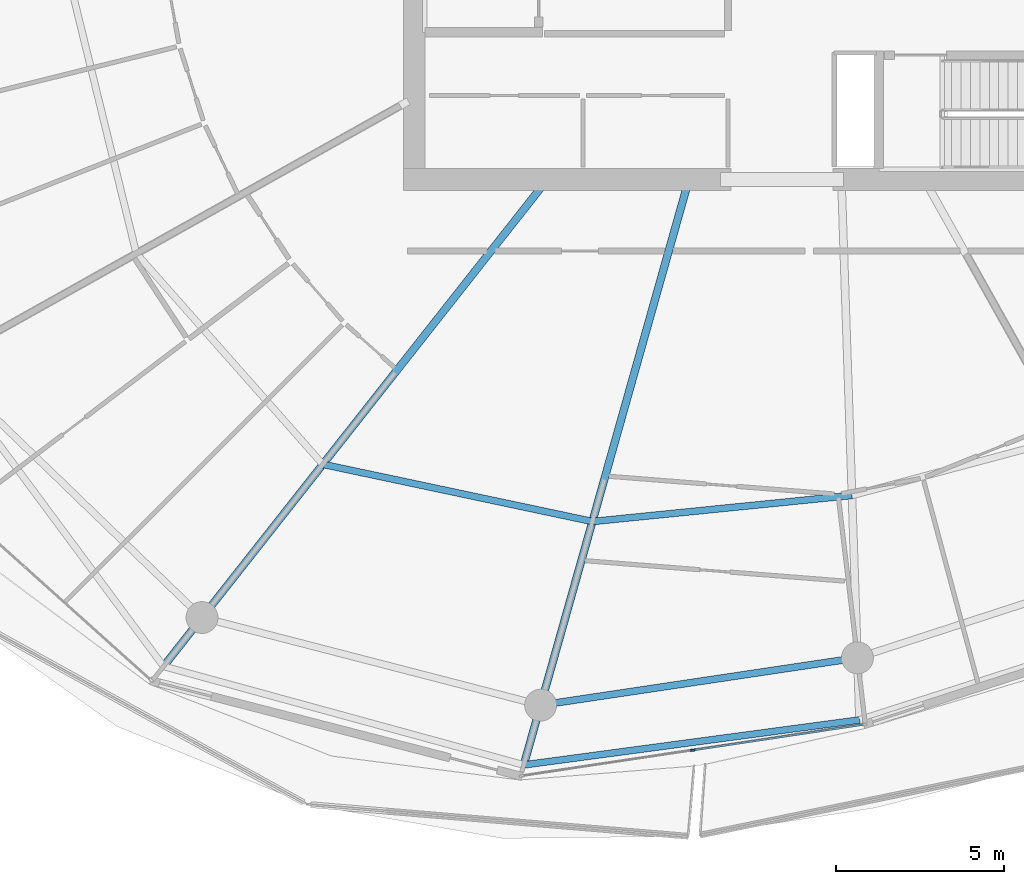
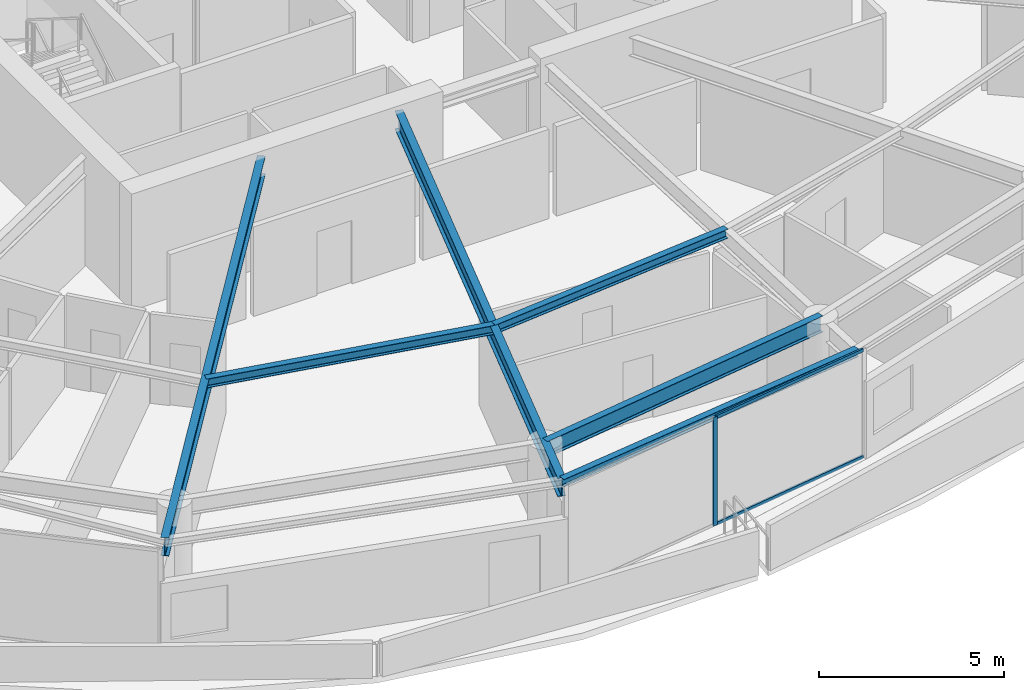
# One storey, part 7 of 31: 6 beams, 3 members, 1 element without a shape of its own.
"""IFC4 building model written with IfcOpenShell, lengths in metres."""

from ifc_helpers import new_model, si_unit, direction, frame, origin, origin_2d, place, context, subcontext, project, spatial, rectangle, i_section, extrude, material, layer, layer_set, material_profile, profile_set, type_object, element, aggregate, save


model = new_model("IFC4")

# Units and contexts
model_context = context("Model", 3, precision=1e-05, world=origin(), true_north=direction((0.0, 1.0)))
body_context = subcontext(model_context, "Body", "Model", "MODEL_VIEW")
ifc_project = project(units=[si_unit("LENGTHUNIT", "METRE"), si_unit("AREAUNIT", "SQUARE_METRE"), si_unit("VOLUMEUNIT", "CUBIC_METRE"), si_unit("PLANEANGLEUNIT", "RADIAN"), si_unit("MASSUNIT", "GRAM", prefix="KILO")], contexts=[model_context])

# Site, building, storey
site_placement = place(None, origin())
site = spatial("IfcSite", under=ifc_project, at=site_placement, CompositionType="ELEMENT")
building_placement = place(site_placement, origin())
building = spatial("IfcBuilding", under=site, at=building_placement, Name="Kazma Halo Residences", CompositionType="ELEMENT")
storey_placement = place(building_placement, frame((0.0, 0.0, 259.800048828125)))
storey = spatial("IfcBuildingStorey", under=building, at=storey_placement, Name="L65", CompositionType="ELEMENT", Elevation=259.800048828125)

# Beams
ifc_material_1 = material(Name="Steel S355", Category="steel")
ifc_material_profile_1 = material_profile(ifc_material_1, i_section(OverallWidth=0.201904296875, OverallDepth=0.2470703125, WebThickness=0.00732421875, FlangeThickness=0.010986328125, FilletRadius=0.011962890625, at=origin_2d()), Name="W250x49.1")
ifc_profile_set_1 = profile_set([ifc_material_profile_1], Name="Steel S355")
beam_type_1 = type_object("IfcBeamType", Name="BM-BAL-CANT", PredefinedType="BEAM", material=ifc_profile_set_1)
beam_1_placement = place(storey_placement, frame((40.73486328125, 16.239990234375, 3.466552734375), z_axis=(0.991137416918, 0.132840584106, 0.0), x_axis=(-0.132840584106, 0.991137416918, 0.0)))
element("IfcBeam", 1, at=beam_1_placement, inside=storey, type_object=beam_type_1, Name="L65 wave-balcony tie beam 11", PredefinedType="BEAM", context=body_context, shape_type="SweptSolid", body=[
    extrude(i_section(OverallWidth=0.201904296875, OverallDepth=0.2470703125, WebThickness=0.00732421875, FlangeThickness=0.010986328125, FilletRadius=0.011962890625, at=origin_2d()), origin(), (0.0, 0.0, 1.0), 10.087890625),
])
ifc_material_profile_2 = material_profile(ifc_material_1, i_section(OverallWidth=0.22802734375, OverallDepth=0.60791015625, WebThickness=0.01123046875, FlangeThickness=0.017333984375, FilletRadius=0.01806640625, at=origin_2d()), Name="W610x113")
ifc_profile_set_2 = profile_set([ifc_material_profile_2], Name="Steel S355")
beam_type_2 = type_object("IfcBeamType", Name="BM-RAD-W610", PredefinedType="BEAM", material=ifc_profile_set_2)
beam_2_placement = place(storey_placement, frame((41.299072265625, 33.5, 3.285888671875), z_axis=(-0.6190864347, -0.785322854863, 0.0), x_axis=(0.785322854863, -0.6190864347, 0.0)))
element("IfcBeam", 2, at=beam_2_placement, inside=storey, type_object=beam_type_2, Name="L65 radial floor beam 10", PredefinedType="BEAM", context=body_context, shape_type="SweptSolid", body=[
    extrude(i_section(OverallWidth=0.22802734375, OverallDepth=0.60791015625, WebThickness=0.01123046875, FlangeThickness=0.017333984375, FilletRadius=0.01806640625, at=origin_2d()), origin(), (0.0, 0.0, 1.0), 18.239013671875),
])
beam_3_placement = place(storey_placement, frame((45.602783203125, 33.5, 3.285888671875), z_axis=(-0.271445290974, -0.962453871107, 0.0), x_axis=(0.962453871107, -0.271445290974, 0.0)))
element("IfcBeam", 3, at=beam_3_placement, inside=storey, type_object=beam_type_2, Name="L65 radial floor beam 11", PredefinedType="BEAM", context=body_context, shape_type="SweptSolid", body=[
    extrude(i_section(OverallWidth=0.22802734375, OverallDepth=0.60791015625, WebThickness=0.01123046875, FlangeThickness=0.017333984375, FilletRadius=0.01806640625, at=origin_2d()), origin(), (0.0, 0.0, 1.0), 17.933349609375),
])
ifc_material_profile_3 = material_profile(ifc_material_1, i_section(OverallWidth=0.202880859375, OverallDepth=0.302978515625, WebThickness=0.007568359375, FlangeThickness=0.01318359375, FilletRadius=0.013916015625, at=origin_2d()), Name="W310x60")
ifc_profile_set_3 = profile_set([ifc_material_profile_3], Name="Steel S355")
beam_type_3 = type_object("IfcBeamType", Name="BM-SEC-W310A", PredefinedType="JOIST", material=ifc_profile_set_3)
beam_4_placement = place(storey_placement, frame((34.75, 25.1923828125, 3.4384765625), z_axis=(0.978235588777, -0.207497308055, 0.0), x_axis=(0.207497308055, 0.978235588777, 0.0)))
element("IfcBeam", 4, at=beam_4_placement, inside=storey, type_object=beam_type_3, Name="L65 circumferential floor joist 10", PredefinedType="JOIST", context=body_context, shape_type="SweptSolid", body=[
    extrude(i_section(OverallWidth=0.202880859375, OverallDepth=0.302978515625, WebThickness=0.007568359375, FlangeThickness=0.01318359375, FilletRadius=0.013916015625, at=origin_2d()), origin(), (0.0, 0.0, 1.0), 8.2080078125),
])
beam_5_placement = place(storey_placement, frame((42.779296875, 23.4892578125, 3.4384765625), z_axis=(0.994981653225, 0.10005753218, 0.0), x_axis=(-0.10005753218, 0.994981653225, 0.0)))
element("IfcBeam", 5, at=beam_5_placement, inside=storey, type_object=beam_type_3, Name="L65 circumferential floor joist 11", PredefinedType="JOIST", context=body_context, shape_type="SweptSolid", body=[
    extrude(i_section(OverallWidth=0.202880859375, OverallDepth=0.302978515625, WebThickness=0.007568359375, FlangeThickness=0.01318359375, FilletRadius=0.013916015625, at=origin_2d()), origin(), (0.0, 0.0, 1.0), 7.76904296875),
])
ifc_material_profile_4 = material_profile(ifc_material_1, i_section(OverallWidth=0.208984375, OverallDepth=0.532958984375, WebThickness=0.01025390625, FlangeThickness=0.015625, FilletRadius=0.01611328125, at=origin_2d()), Name="W530x92")
ifc_profile_set_4 = profile_set([ifc_material_profile_4], Name="Steel S355")
beam_type_4 = type_object("IfcBeamType", Name="BM-SPN-W530", PredefinedType="BEAM", material=ifc_profile_set_4)
beam_6_placement = place(storey_placement, frame((41.237060546875, 18.0205078125, 3.323486328125), z_axis=(0.989035441627, 0.147678350495, 0.0), x_axis=(-0.147678350495, 0.989035441627, 0.0)))
element("IfcBeam", 6, at=beam_6_placement, inside=storey, type_object=beam_type_4, Name="L65 perimeter ring beam 11", PredefinedType="BEAM", context=body_context, shape_type="SweptSolid", body=[
    extrude(i_section(OverallWidth=0.208984375, OverallDepth=0.532958984375, WebThickness=0.01025390625, FlangeThickness=0.015625, FilletRadius=0.01611328125, at=origin_2d()), origin(), (0.0, 0.0, 1.0), 9.538818359375),
])

# Curtain wall, members
ifc_material_2 = material(Name="Aluminium AW-6063 T6 and Triple-Silver Low-E Glass", Category="aluminium")
ifc_layer = layer(ifc_material_2, 0.139892578125)
ifc_layer_set = layer_set([ifc_layer], Name="Aluminium AW-6063 T6 and Triple-Silver Low-E Glass")
curtain_wall_type = type_object("IfcCurtainWallType", Name="CW-SYS-5", PredefinedType="NOTDEFINED", material=ifc_layer_set)
curtain_wall_placement = place(storey_placement, origin())
curtain_wall = element("IfcCurtainWall", 7, at=curtain_wall_placement, inside=storey, type_object=curtain_wall_type, Name="L65 unitised curtain wall B11", PredefinedType="NOTDEFINED")
ifc_material_3 = material(Name="Aluminium AW-6063 T6", Category="aluminium")
ifc_material_profile_5 = material_profile(ifc_material_3, rectangle(XDim=0.06005859375, YDim=0.139892578125, at=origin_2d()), Name="CWM-60x140")
ifc_profile_set_5 = profile_set([ifc_material_profile_5], Name="Aluminium AW-6063 T6")
member_type_1 = type_object("IfcMemberType", Name="CW-SYS-5-MUL", PredefinedType="MULLION", material=ifc_profile_set_5)
member_1_placement = place(storey_placement, frame((45.7734375, 16.679931640625, 0.0), z_axis=(0.0, 0.0, 1.0), x_axis=(-0.148697080374, 0.988882792998, 0.0)))
member_1 = element("IfcMember", 8, at=member_1_placement, type_object=member_type_1, Name="CWS-5 mullion 2", PredefinedType="MULLION", context=body_context, shape_type="SweptSolid", body=[
    extrude(rectangle(XDim=0.06005859375, YDim=0.139892578125, at=origin_2d()), origin(), (0.0, 0.0, 1.0), 3.58984375),
])
ifc_material_profile_6 = material_profile(ifc_material_3, rectangle(XDim=0.06005859375, YDim=0.10498046875, at=origin_2d()), Name="CWT-60x105")
ifc_profile_set_6 = profile_set([ifc_material_profile_6], Name="Aluminium AW-6063 T6")
member_type_2 = type_object("IfcMemberType", Name="CW-SYS-5-TRN", PredefinedType="USERDEFINED", material=ifc_profile_set_6)
member_2_placement = place(storey_placement, frame((45.80322265625, 16.6845703125, 0.030029296875), z_axis=(0.988882913569, 0.148696278541, 0.0), x_axis=(-0.148696278541, 0.988882913569, 0.0)))
member_2 = element("IfcMember", 9, at=member_2_placement, type_object=member_type_2, Name="CWS-5 transom 2.1", ObjectType="TRANSOM", PredefinedType="USERDEFINED", context=body_context, shape_type="SweptSolid", body=[
    extrude(rectangle(XDim=0.06005859375, YDim=0.10498046875, at=origin_2d()), origin(), (0.0, 0.0, 1.0), 5.099609375),
])
member_3_placement = place(storey_placement, frame((45.80322265625, 16.6845703125, 3.56005859375), z_axis=(0.988882913569, 0.148696278541, 0.0), x_axis=(-0.148696278541, 0.988882913569, 0.0)))
member_3 = element("IfcMember", 10, at=member_3_placement, type_object=member_type_2, Name="CWS-5 transom 2.2", ObjectType="TRANSOM", PredefinedType="USERDEFINED", context=body_context, shape_type="SweptSolid", body=[
    extrude(rectangle(XDim=0.06005859375, YDim=0.10498046875, at=origin_2d()), origin(), (0.0, 0.0, 1.0), 5.099609375),
])
aggregate(curtain_wall, [member_1, member_2, member_3])

save(model, "model.ifc")
